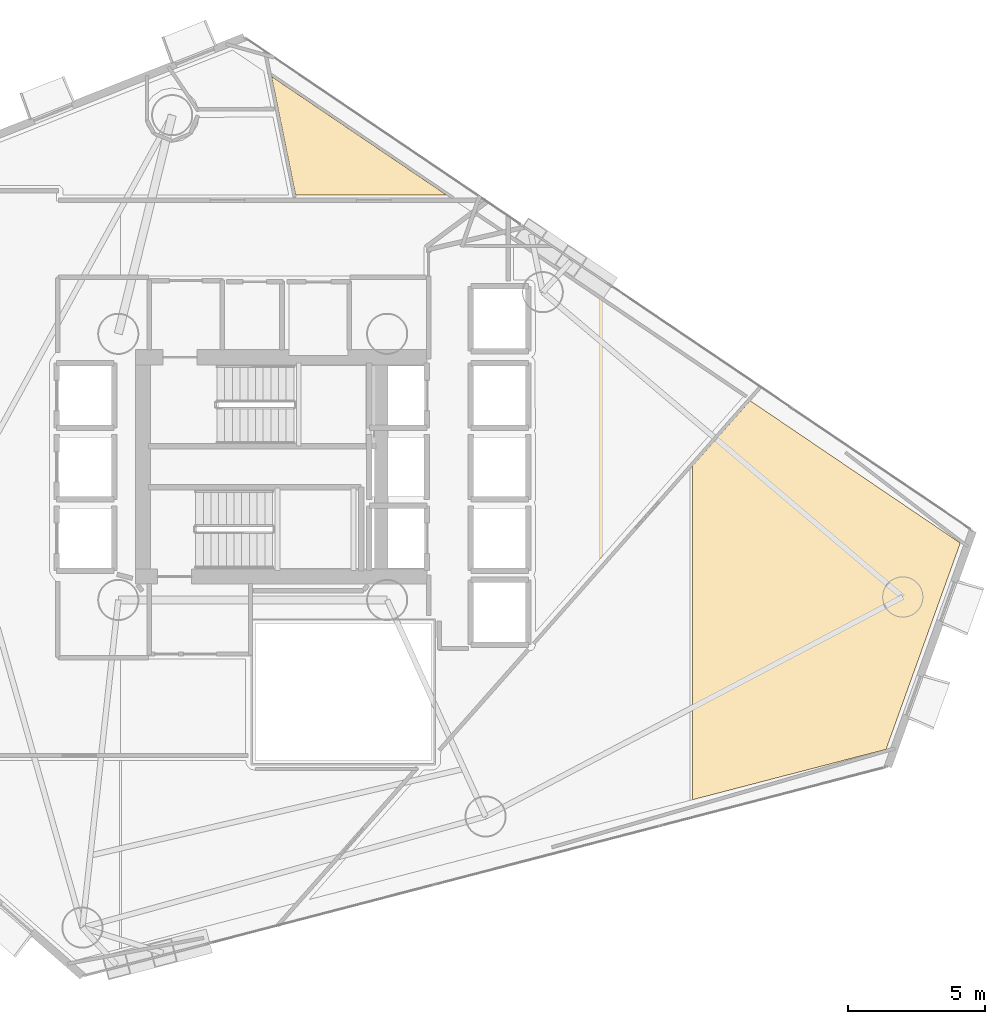
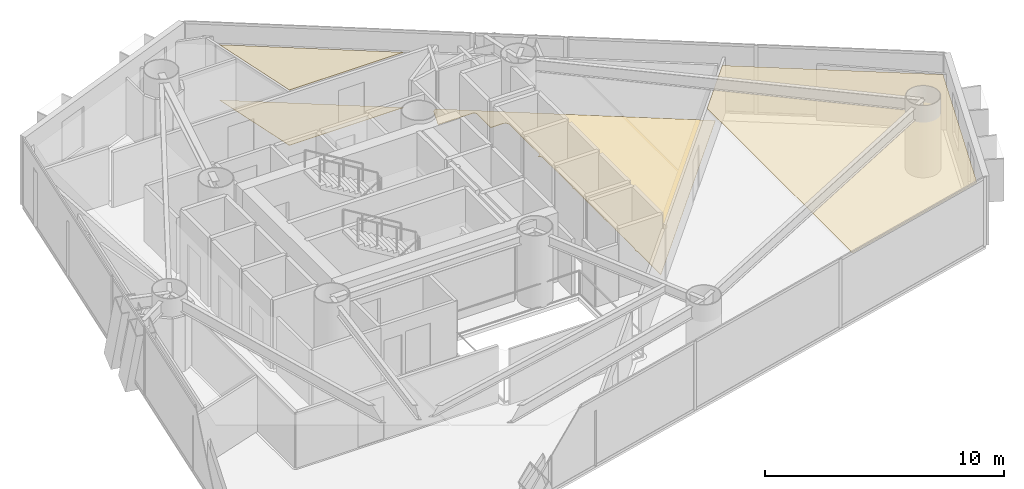
# One storey, part 21 of 21: 4 coverings.
"""IFC4 building model written with IfcOpenShell, lengths in metres."""

from ifc_helpers import new_model, si_unit, direction, frame, origin, place, context, subcontext, project, spatial, polyline, outline, extrude, material, layer, layer_set, type_object, element, save


model = new_model("IFC4")

# Units and contexts
model_context = context("Model", 3, precision=1e-05, world=origin(), true_north=direction((0.0, 1.0)))
body_context = subcontext(model_context, "Body", "Model", "MODEL_VIEW")
ifc_project = project(units=[si_unit("LENGTHUNIT", "METRE"), si_unit("AREAUNIT", "SQUARE_METRE"), si_unit("VOLUMEUNIT", "CUBIC_METRE"), si_unit("PLANEANGLEUNIT", "RADIAN"), si_unit("MASSUNIT", "GRAM", prefix="KILO")], contexts=[model_context])

# Site, building, storey
site_placement = place(None, origin())
site = spatial("IfcSite", under=ifc_project, at=site_placement, CompositionType="ELEMENT")
building_placement = place(site_placement, origin())
building = spatial("IfcBuilding", under=site, at=building_placement, Name="Qianvela Tower", CompositionType="ELEMENT")
storey_placement = place(building_placement, frame((0.0, 0.0, 108.89990234375)))
storey = spatial("IfcBuildingStorey", under=building, at=storey_placement, Name="L27", CompositionType="ELEMENT", Elevation=108.89990234375)

# Coverings
ifc_material_1 = material(Name="Perforated Mineral Acoustic Ceiling Tile")
ifc_layer_1 = layer(ifc_material_1, 0.02490234375)
ifc_layer_set_1 = layer_set([ifc_layer_1], Name="Perforated Mineral Acoustic Ceiling Tile")
covering_type_1 = type_object("IfcCoveringType", Name="COV-CEIL-ACOUSTIC-25", PredefinedType="CEILING", material=ifc_layer_set_1)
covering_1_placement = place(storey_placement, frame((0.0, 0.0, 2.815185546875)))
element("IfcCovering", 1, at=covering_1_placement, inside=storey, type_object=covering_type_1, Name="L27 Acoustic Ceiling Bay 2 Quiet Desk Workspace L27-01B", PredefinedType="CEILING", context=body_context, shape_type="SweptSolid", body=[
    extrude(outline(polyline([(51.62939453125, 31.1142578125), (59.28955078125, 25.925537109375), (56.58447265625, 18.40478515625), (49.523681640625, 16.566650390625), (49.523681640625, 28.731201171875), (51.62939453125, 31.1142578125)])), origin(), (0.0, 0.0, 1.0), 0.02490234375),
])
covering_2_placement = place(storey_placement, frame((0.0, 0.0, 2.815185546875)))
element("IfcCovering", 2, at=covering_2_placement, inside=storey, type_object=covering_type_1, Name="L27 Acoustic Ceiling Quiet Desk Workspace L27-02", PredefinedType="CEILING", context=body_context, shape_type="SweptSolid", body=[
    extrude(outline(polyline([(35.064208984375, 38.610107421875), (34.18701171875, 42.92919921875), (40.563720703125, 38.610107421875), (35.064208984375, 38.610107421875)])), origin(), (0.0, 0.0, 1.0), 0.02490234375),
])
ifc_material_2 = material(Name="Engineered Acoustic Oak Timber Flooring", Category="wood")
ifc_layer_2 = layer(ifc_material_2, 0.02001953125)
ifc_layer_set_2 = layer_set([ifc_layer_2], Name="Engineered Acoustic Oak Timber Flooring")
covering_type_2 = type_object("IfcCoveringType", Name="COV-FLOOR-OAK-20", PredefinedType="FLOORING", material=ifc_layer_set_2)
covering_3_placement = place(storey_placement, origin())
element("IfcCovering", 3, at=covering_3_placement, inside=storey, type_object=covering_type_2, Name="L27 Finish Flooring Academic Cellular Office L27-01C", PredefinedType="FLOORING", context=body_context, shape_type="SweptSolid", body=[
    extrude(outline(polyline([(43.644287109375, 32.701904296875), (43.722412109375, 32.739013671875), (43.729248046875, 32.74267578125), (43.73583984375, 32.746826171875), (43.741943359375, 32.751953125), (43.74755859375, 32.757568359375), (43.75244140625, 32.763427734375), (43.7568359375, 32.77001953125), (43.760498046875, 32.777099609375), (43.763427734375, 32.7841796875), (43.79541015625, 32.873046875), (43.79736328125, 32.879638671875), (43.798828125, 32.886474609375), (43.7998046875, 32.893310546875), (43.800048828125, 32.900146484375), (43.79736328125, 35.327392578125), (43.796875, 35.3359375), (43.79541015625, 35.344482421875), (43.793212890625, 35.352783203125), (43.7900390625, 35.36083984375), (43.785888671875, 35.368408203125), (43.7373046875, 35.44921875), (43.732666015625, 35.456298828125), (43.727294921875, 35.462890625), (43.72119140625, 35.46875), (43.71435546875, 35.47412109375), (43.70703125, 35.478515625), (43.699462890625, 35.482177734375), (43.624267578125, 35.51318359375), (43.616943359375, 35.515869140625), (43.609375, 35.517822265625), (43.6015625, 35.518798828125), (43.59375, 35.519287109375), (43.0, 35.52001953125), (43.010009765625, 36.6494140625), (43.009765625, 36.656494140625), (43.0087890625, 36.663818359375), (43.007080078125, 36.6708984375), (43.0048828125, 36.677978515625), (43.002197265625, 36.684814453125), (42.99853515625, 36.691162109375), (42.956298828125, 36.76171875), (42.951904296875, 36.7685546875), (42.946533203125, 36.77490234375), (42.940673828125, 36.780517578125), (42.93408203125, 36.78564453125), (42.92724609375, 36.7900390625), (42.919921875, 36.793701171875), (42.912353515625, 36.796630859375), (42.904296875, 36.798828125), (42.896240234375, 36.800048828125), (42.88818359375, 36.800537109375), (41.205078125, 36.809326171875), (41.534912109375, 37.75537109375), (41.67041015625, 37.860107421875), (51.395751953125, 31.2724609375), (43.799560546875, 22.67724609375), (43.800048828125, 24.60009765625), (43.7998046875, 24.606689453125), (43.798828125, 24.61376953125), (43.79736328125, 24.620361328125), (43.79541015625, 24.626953125), (43.763427734375, 24.7158203125), (43.760498046875, 24.722900390625), (43.7568359375, 24.72998046875), (43.75244140625, 24.736572265625), (43.74755859375, 24.742431640625), (43.741943359375, 24.748046875), (43.73974609375, 24.75), (43.73974609375, 24.75), (43.74609375, 24.755859375), (43.75146484375, 24.76220703125), (43.75634765625, 24.76904296875), (43.76025390625, 24.776611328125), (43.763427734375, 24.7841796875), (43.79541015625, 24.873046875), (43.79736328125, 24.879638671875), (43.798828125, 24.88623046875), (43.7998046875, 24.89306640625), (43.800048828125, 24.89990234375), (43.800048828125, 27.300048828125), (43.799560546875, 27.30810546875), (43.79833984375, 27.31591796875), (43.79638671875, 27.323486328125), (43.793701171875, 27.3310546875), (43.7646484375, 27.39990234375), (43.793701171875, 27.468994140625), (43.79638671875, 27.476318359375), (43.79833984375, 27.484130859375), (43.799560546875, 27.491943359375), (43.800048828125, 27.5), (43.800048828125, 29.89990234375), (43.799560546875, 29.907958984375), (43.79833984375, 29.915771484375), (43.79638671875, 29.923583984375), (43.793701171875, 29.93115234375), (43.7646484375, 30.0), (43.793701171875, 30.06884765625), (43.79638671875, 30.076416015625), (43.79833984375, 30.084228515625), (43.799560546875, 30.09228515625), (43.800048828125, 30.10009765625), (43.7939453125, 32.540771484375), (43.793701171875, 32.548583984375), (43.79248046875, 32.556396484375), (43.79052734375, 32.56396484375), (43.787841796875, 32.5712890625), (43.784423828125, 32.578369140625), (43.780517578125, 32.585205078125), (43.7353515625, 32.652587890625), (43.73095703125, 32.658447265625), (43.726318359375, 32.6640625), (43.720947265625, 32.6689453125), (43.715087890625, 32.673583984375), (43.708984375, 32.677490234375), (43.702392578125, 32.680908203125), (43.69580078125, 32.68359375), (43.644287109375, 32.701904296875)])), origin(), (0.0, 0.0, 1.0), 0.02001953125),
])
covering_4_placement = place(storey_placement, origin())
element("IfcCovering", 4, at=covering_4_placement, inside=storey, type_object=covering_type_2, Name="L27 Finish Flooring Quiet Desk Workspace L27-02", PredefinedType="FLOORING", context=body_context, shape_type="SweptSolid", body=[
    extrude(outline(polyline([(35.064208984375, 38.610107421875), (34.18701171875, 42.92919921875), (40.563720703125, 38.610107421875), (35.064208984375, 38.610107421875)])), origin(), (0.0, 0.0, 1.0), 0.02001953125),
])

save(model, "model.ifc")
